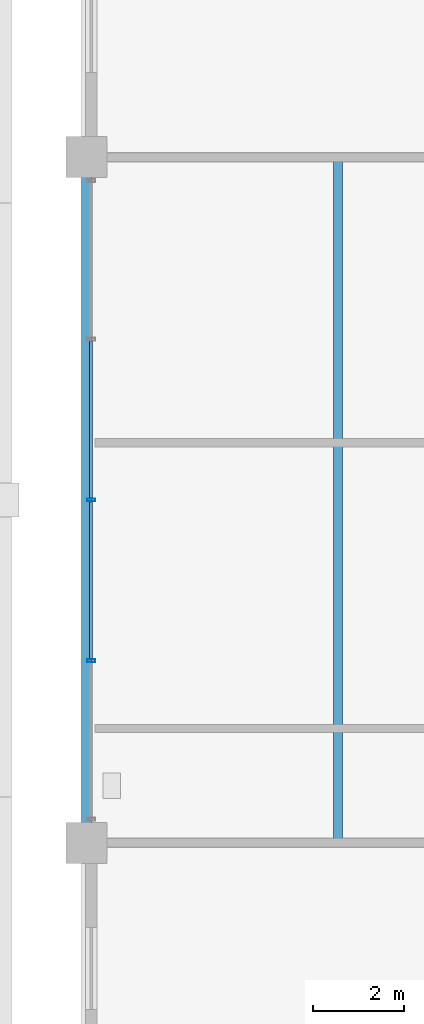
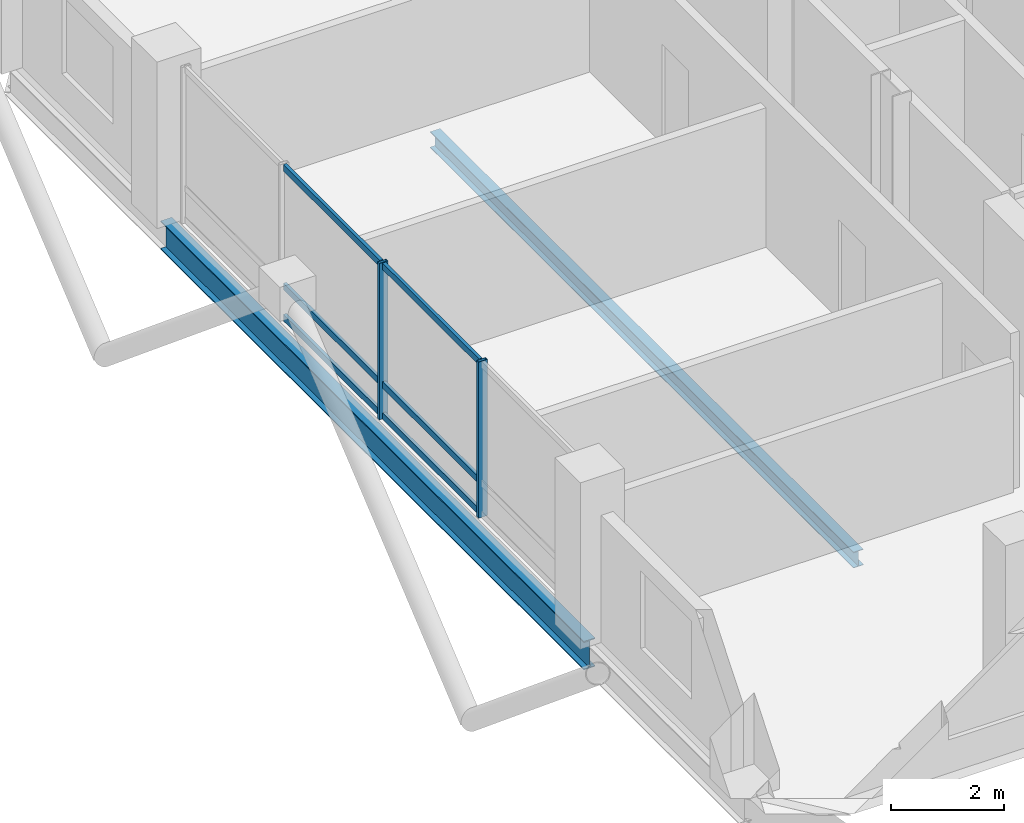
# One storey, part 7 of 23: 8 members, 2 beams, 1 element without a shape of its own.
"""IFC4 building model written with IfcOpenShell, lengths in metres."""

from ifc_helpers import new_model, si_unit, direction, frame, origin, origin_2d, place, context, subcontext, project, spatial, hollow_rectangle, i_section, extrude, material, layer, layer_set, material_profile, profile_set, type_object, element, aggregate, save


model = new_model("IFC4")

# Units and contexts
model_context = context("Model", 3, precision=1e-05, world=origin(), true_north=direction((0.0, 1.0)))
body_context = subcontext(model_context, "Body", "Model", "MODEL_VIEW")
ifc_project = project(units=[si_unit("LENGTHUNIT", "METRE"), si_unit("AREAUNIT", "SQUARE_METRE"), si_unit("VOLUMEUNIT", "CUBIC_METRE"), si_unit("PLANEANGLEUNIT", "RADIAN"), si_unit("MASSUNIT", "GRAM", prefix="KILO")], contexts=[model_context])

# Site, building, storey
site_placement = place(None, origin())
site = spatial("IfcSite", under=ifc_project, at=site_placement, CompositionType="ELEMENT")
building_placement = place(site_placement, origin())
building = spatial("IfcBuilding", under=site, at=building_placement, Name="Barlavira Tower and Art Museum", CompositionType="ELEMENT")
storey_placement = place(building_placement, frame((0.0, 0.0, 279.89990234375)))
storey = spatial("IfcBuildingStorey", under=building, at=storey_placement, Name="L73", CompositionType="ELEMENT", Elevation=279.89990234375)

# Curtain wall, members
ifc_material_1 = material(Name="Low-iron coastal laminated glass", Category="glass")
ifc_layer = layer(ifc_material_1, 0.2099609375, Name="Low-iron coastal laminated glass")
ifc_layer_set = layer_set([ifc_layer], Name="Low-iron coastal laminated glass")
curtain_wall_type = type_object("IfcCurtainWallType", Name="Pale-Metal Unitised Curtain Wall Zone 4", PredefinedType="NOTDEFINED", material=ifc_layer_set)
curtain_wall_placement = place(storey_placement, origin())
curtain_wall = element("IfcCurtainWall", 1, at=curtain_wall_placement, inside=storey, type_object=curtain_wall_type, Name="L73 Curtain Wall CW4-L73-W-B3", PredefinedType="NOTDEFINED")
ifc_material_2 = material(Name="Pale anodised aluminium", Category="aluminium")
ifc_material_profile_1 = material_profile(ifc_material_2, hollow_rectangle(XDim=0.06494140625, YDim=0.179931640625, WallThickness=0.00390625, at=origin_2d()), Name="ALU-MULL 65x180x4")
ifc_profile_set_1 = profile_set([ifc_material_profile_1], Name="Pale anodised aluminium")
member_type_1 = type_object("IfcMemberType", Name="Curtain Wall Pale-Metal Mullion 65x180", PredefinedType="MULLION", material=ifc_profile_set_1)
member_1_placement = place(storey_placement, frame((-16.89990234375, 0.0, 0.0), z_axis=(0.0, 0.0, 1.0), x_axis=(0.0, -1.0, 0.0)))
member_1 = element("IfcMember", 2, at=member_1_placement, type_object=member_type_1, Name="CW4-L73-W-B3 Mullion 2", PredefinedType="MULLION", context=body_context, shape_type="SweptSolid", body=[
    extrude(hollow_rectangle(XDim=0.06494140625, YDim=0.179931640625, WallThickness=0.00390625, at=origin_2d()), origin(), (0.0, 0.0, 1.0), 3.380126953125),
])
member_2_placement = place(storey_placement, frame((-16.89990234375, -3.514892578125, 0.0), z_axis=(0.0, 0.0, 1.0), x_axis=(0.0, -1.0, 0.0)))
member_2 = element("IfcMember", 3, at=member_2_placement, type_object=member_type_1, Name="CW4-L73-W-B3 Mullion 3", PredefinedType="MULLION", context=body_context, shape_type="SweptSolid", body=[
    extrude(hollow_rectangle(XDim=0.06494140625, YDim=0.179931640625, WallThickness=0.00390625, at=origin_2d()), origin(), (0.0, 0.0, 1.0), 3.380126953125),
])
ifc_material_profile_2 = material_profile(ifc_material_2, hollow_rectangle(XDim=0.06494140625, YDim=0.139892578125, WallThickness=0.00390625, at=origin_2d()), Name="ALU-TRAN 65x140x4")
ifc_profile_set_2 = profile_set([ifc_material_profile_2], Name="Pale anodised aluminium")
member_type_2 = type_object("IfcMemberType", Name="Curtain Wall Pale-Metal Transom 65x140", PredefinedType="USERDEFINED", material=ifc_profile_set_2)
member_3_placement = place(storey_placement, frame((-16.89990234375, 3.469970703125, 0.070068359375), z_axis=(0.0, -1.0, 0.0), x_axis=(1.0, 0.0, 0.0)))
member_3 = element("IfcMember", 4, at=member_3_placement, type_object=member_type_2, Name="CW4-L73-W-B3 Transom 1.1", ObjectType="TRANSOM", PredefinedType="USERDEFINED", context=body_context, shape_type="SweptSolid", body=[
    extrude(hollow_rectangle(XDim=0.06494140625, YDim=0.139892578125, WallThickness=0.00390625, at=origin_2d()), origin(), (0.0, 0.0, 1.0), 3.425048828125),
])
member_4_placement = place(storey_placement, frame((-16.89990234375, 3.469970703125, 0.744140625), z_axis=(0.0, -1.0, 0.0), x_axis=(1.0, 0.0, 0.0)))
member_4 = element("IfcMember", 5, at=member_4_placement, type_object=member_type_2, Name="CW4-L73-W-B3 Transom 1.2", ObjectType="TRANSOM", PredefinedType="USERDEFINED", context=body_context, shape_type="SweptSolid", body=[
    extrude(hollow_rectangle(XDim=0.06494140625, YDim=0.139892578125, WallThickness=0.00390625, at=origin_2d()), origin(), (0.0, 0.0, 1.0), 3.425048828125),
])
member_5_placement = place(storey_placement, frame((-16.89990234375, 3.469970703125, 3.31005859375), z_axis=(0.0, -1.0, 0.0), x_axis=(1.0, 0.0, 0.0)))
member_5 = element("IfcMember", 6, at=member_5_placement, type_object=member_type_2, Name="CW4-L73-W-B3 Transom 1.3", ObjectType="TRANSOM", PredefinedType="USERDEFINED", context=body_context, shape_type="SweptSolid", body=[
    extrude(hollow_rectangle(XDim=0.06494140625, YDim=0.139892578125, WallThickness=0.00390625, at=origin_2d()), origin(), (0.0, 0.0, 1.0), 3.425048828125),
])
member_6_placement = place(storey_placement, frame((-16.89990234375, -0.044921875, 0.070068359375), z_axis=(0.0, -1.0, 0.0), x_axis=(1.0, 0.0, 0.0)))
member_6 = element("IfcMember", 7, at=member_6_placement, type_object=member_type_2, Name="CW4-L73-W-B3 Transom 2.1", ObjectType="TRANSOM", PredefinedType="USERDEFINED", context=body_context, shape_type="SweptSolid", body=[
    extrude(hollow_rectangle(XDim=0.06494140625, YDim=0.139892578125, WallThickness=0.00390625, at=origin_2d()), origin(), (0.0, 0.0, 1.0), 3.425048828125),
])
member_7_placement = place(storey_placement, frame((-16.89990234375, -0.044921875, 0.744140625), z_axis=(0.0, -1.0, 0.0), x_axis=(1.0, 0.0, 0.0)))
member_7 = element("IfcMember", 8, at=member_7_placement, type_object=member_type_2, Name="CW4-L73-W-B3 Transom 2.2", ObjectType="TRANSOM", PredefinedType="USERDEFINED", context=body_context, shape_type="SweptSolid", body=[
    extrude(hollow_rectangle(XDim=0.06494140625, YDim=0.139892578125, WallThickness=0.00390625, at=origin_2d()), origin(), (0.0, 0.0, 1.0), 3.425048828125),
])
member_8_placement = place(storey_placement, frame((-16.89990234375, -0.044921875, 3.31005859375), z_axis=(0.0, -1.0, 0.0), x_axis=(1.0, 0.0, 0.0)))
member_8 = element("IfcMember", 9, at=member_8_placement, type_object=member_type_2, Name="CW4-L73-W-B3 Transom 2.3", ObjectType="TRANSOM", PredefinedType="USERDEFINED", context=body_context, shape_type="SweptSolid", body=[
    extrude(hollow_rectangle(XDim=0.06494140625, YDim=0.139892578125, WallThickness=0.00390625, at=origin_2d()), origin(), (0.0, 0.0, 1.0), 3.425048828125),
])
aggregate(curtain_wall, [member_1, member_2, member_3, member_4, member_5, member_6, member_7, member_8])

# Beams
ifc_material_3 = material(Name="Steel S355", Category="steel")
ifc_material_profile_3 = material_profile(ifc_material_3, i_section(OverallWidth=0.22998046875, OverallDepth=0.616943359375, WebThickness=0.01318359375, FlangeThickness=0.022216796875, at=origin_2d()), Name="W610x140.0")
ifc_profile_set_3 = profile_set([ifc_material_profile_3], Name="Steel S355")
beam_type_1 = type_object("IfcBeamType", Name="Upper Shaft Spandrel Edge Beam W610x140 Steel S355", PredefinedType="SPANDREL", material=ifc_profile_set_3)
beam_1_placement = place(storey_placement, frame((-17.0, -7.5, -0.5283203125), z_axis=(0.0, 1.0, 0.0), x_axis=(-1.0, 0.0, 0.0)))
element("IfcBeam", 10, at=beam_1_placement, inside=storey, type_object=beam_type_1, Name="L73 Spandrel 14", PredefinedType="SPANDREL", context=body_context, shape_type="SweptSolid", body=[
    extrude(i_section(OverallWidth=0.22998046875, OverallDepth=0.616943359375, WebThickness=0.01318359375, FlangeThickness=0.022216796875, at=origin_2d()), origin(), (0.0, 0.0, 1.0), 15.0),
])
ifc_material_profile_4 = material_profile(ifc_material_3, i_section(OverallWidth=0.202880859375, OverallDepth=0.346923828125, WebThickness=0.0078125, FlangeThickness=0.013427734375, at=origin_2d()), Name="W360x64.0")
ifc_profile_set_4 = profile_set([ifc_material_profile_4], Name="Steel S355")
beam_type_2 = type_object("IfcBeamType", Name="Zone 4 Composite Floor Joist W360x64 Steel S355", PredefinedType="JOIST", material=ifc_profile_set_4)
beam_2_placement = place(storey_placement, frame((-11.5, -7.5, -0.393310546875), z_axis=(0.0, 1.0, 0.0), x_axis=(-1.0, 0.0, 0.0)))
element("IfcBeam", 11, at=beam_2_placement, inside=storey, type_object=beam_type_2, Name="L73 Joist W1", PredefinedType="JOIST", context=body_context, shape_type="SweptSolid", body=[
    extrude(i_section(OverallWidth=0.202880859375, OverallDepth=0.346923828125, WebThickness=0.0078125, FlangeThickness=0.013427734375, at=origin_2d()), origin(), (0.0, 0.0, 1.0), 15.0),
])

save(model, "model.ifc")
